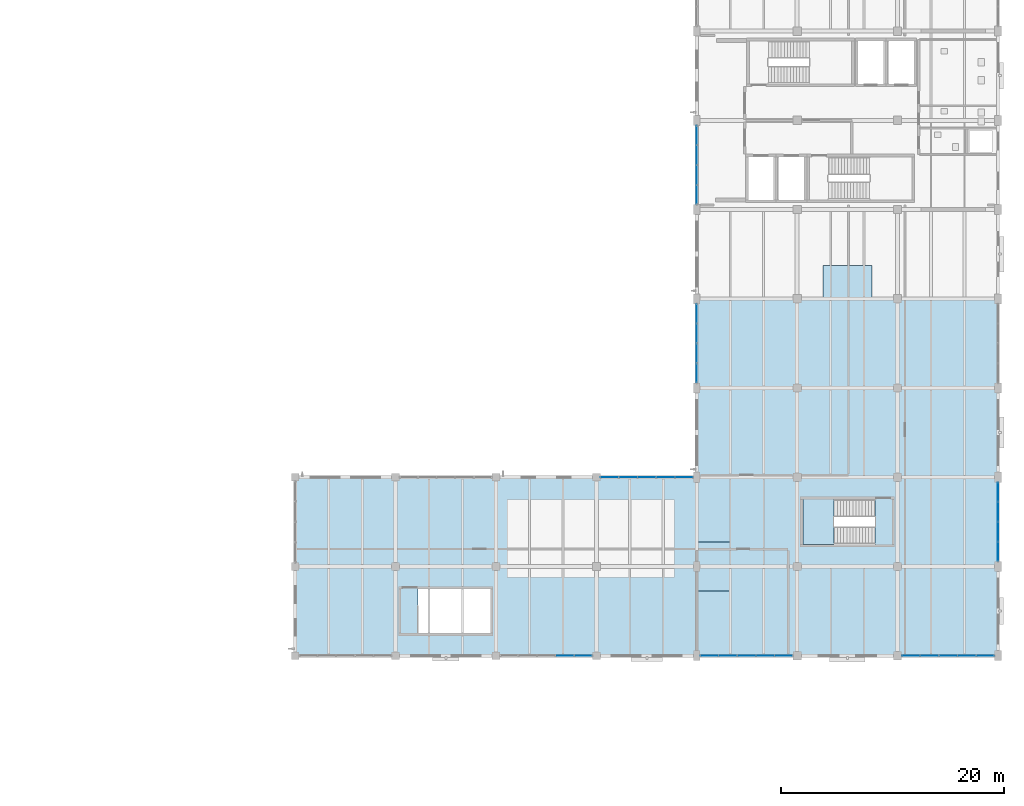
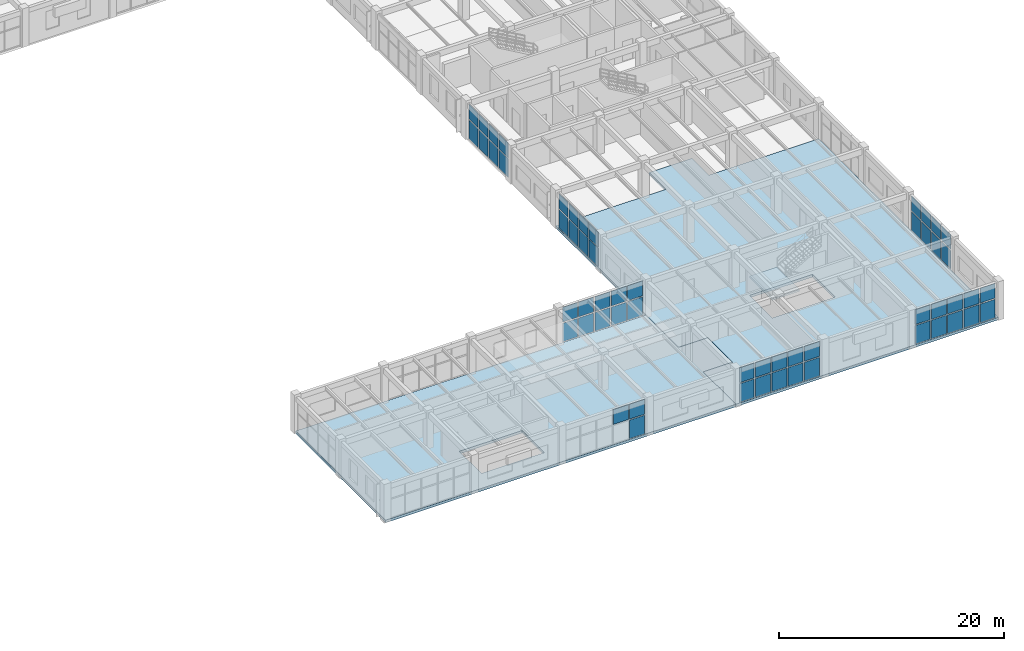
# One storey, part 105 of 128: 57 plates, 3 slabs, 8 elements without a shape of their own.
"""IFC4 building model written with IfcOpenShell, lengths in metres."""

from ifc_helpers import new_model, si_unit, derived_unit, direction, frame, origin, origin_2d, place, context, subcontext, project, spatial, polyline, rectangle, outline, extrude, material, layer, layer_set, type_object, element, aggregate, save


model = new_model("IFC4")

# Units and contexts
model_context = context("Model", 3, precision=1e-05, world=origin(), true_north=direction((0.0, 1.0)))
body_context = subcontext(model_context, "Body", "Model", "MODEL_VIEW")
ifc_project = project(units=[si_unit("LENGTHUNIT", "METRE"), si_unit("AREAUNIT", "SQUARE_METRE"), si_unit("VOLUMEUNIT", "CUBIC_METRE"), si_unit("PLANEANGLEUNIT", "RADIAN"), si_unit("MASSUNIT", "GRAM", prefix="KILO"), derived_unit("THERMALTRANSMITTANCEUNIT", [(si_unit("MASSUNIT", "GRAM", prefix="KILO"), 1), (si_unit("TIMEUNIT", "SECOND"), -3), (si_unit("THERMODYNAMICTEMPERATUREUNIT", "KELVIN"), -1)])], contexts=[model_context])

# Site, building, storey
site_placement = place(None, origin())
site = spatial("IfcSite", under=ifc_project, at=site_placement, CompositionType="ELEMENT")
building_placement = place(site_placement, origin())
building = spatial("IfcBuilding", under=site, at=building_placement, Name="Zhenchuan Archway Interchange", CompositionType="ELEMENT")
storey_placement = place(building_placement, frame((0.0, 0.0, 14.39990234375)))
storey = spatial("IfcBuildingStorey", under=building, at=storey_placement, Name="L03", CompositionType="ELEMENT", Elevation=14.39990234375)

# Curtain wall, plates
ifc_material_1 = material(Name="Anodised Aluminium", Category="aluminium")
curtain_wall_type_1 = type_object("IfcCurtainWallType", Name="CW_UNIT_4", PredefinedType="NOTDEFINED", material=ifc_material_1)
curtain_wall_1_placement = place(storey_placement, origin())
curtain_wall_1 = element("IfcCurtainWall", 1, at=curtain_wall_1_placement, inside=storey, type_object=curtain_wall_type_1, Name="Unitised curtain wall CW:L03:167", PredefinedType="NOTDEFINED")
ifc_material_2 = material(Name="Double Low-E Insulated Glazing", Category="glass")
ifc_layer_1 = layer(ifc_material_2, 0.028076171875)
ifc_layer_set_1 = layer_set([ifc_layer_1], Name="Double Low-E Insulated Glazing")
plate_type_1 = type_object("IfcPlateType", Name="CW_GLZ_1", PredefinedType="CURTAIN_PANEL", material=ifc_layer_set_1)
plate_1_placement = place(storey_placement, frame((136.16943359375, 24.0, 0.080078125), z_axis=(0.0, 0.0, 1.0), x_axis=(1.0, 0.0, 0.0)))
plate_1 = element("IfcPlate", 2, at=plate_1_placement, type_object=plate_type_1, Name="CW:L03:167 lower glazing panel 0", PredefinedType="CURTAIN_PANEL", context=body_context, shape_type="SweptSolid", body=[
    extrude(rectangle(XDim=1.522705078125, YDim=0.028076171875, at=origin_2d()), origin(), (0.0, 0.0, 1.0), 2.01611328125),
])
plate_2_placement = place(storey_placement, frame((137.84228515625, 24.0, 0.080078125), z_axis=(0.0, 0.0, 1.0), x_axis=(1.0, 0.0, 0.0)))
plate_2 = element("IfcPlate", 3, at=plate_2_placement, type_object=plate_type_1, Name="CW:L03:167 lower glazing panel 1", PredefinedType="CURTAIN_PANEL", context=body_context, shape_type="SweptSolid", body=[
    extrude(rectangle(XDim=1.542724609375, YDim=0.028076171875, at=origin_2d()), origin(), (0.0, 0.0, 1.0), 2.01611328125),
])
plate_3_placement = place(storey_placement, frame((139.52490234375, 24.0, 0.080078125), z_axis=(0.0, 0.0, 1.0), x_axis=(1.0, 0.0, 0.0)))
plate_3 = element("IfcPlate", 4, at=plate_3_placement, type_object=plate_type_1, Name="CW:L03:167 lower glazing panel 2", PredefinedType="CURTAIN_PANEL", context=body_context, shape_type="SweptSolid", body=[
    extrude(rectangle(XDim=1.542724609375, YDim=0.028076171875, at=origin_2d()), origin(), (0.0, 0.0, 1.0), 2.01611328125),
])
plate_4_placement = place(storey_placement, frame((141.207763671875, 24.0, 0.080078125), z_axis=(0.0, 0.0, 1.0), x_axis=(1.0, 0.0, 0.0)))
plate_4 = element("IfcPlate", 5, at=plate_4_placement, type_object=plate_type_1, Name="CW:L03:167 lower glazing panel 3", PredefinedType="CURTAIN_PANEL", context=body_context, shape_type="SweptSolid", body=[
    extrude(rectangle(XDim=1.542724609375, YDim=0.028076171875, at=origin_2d()), origin(), (0.0, 0.0, 1.0), 2.01611328125),
])
plate_5_placement = place(storey_placement, frame((142.880615234375, 24.0, 0.080078125), z_axis=(0.0, 0.0, 1.0), x_axis=(1.0, 0.0, 0.0)))
plate_5 = element("IfcPlate", 6, at=plate_5_placement, type_object=plate_type_1, Name="CW:L03:167 lower glazing panel 4", PredefinedType="CURTAIN_PANEL", context=body_context, shape_type="SweptSolid", body=[
    extrude(rectangle(XDim=1.522705078125, YDim=0.028076171875, at=origin_2d()), origin(), (0.0, 0.0, 1.0), 2.01611328125),
])

curtain_wall_2_placement = place(storey_placement, origin())
curtain_wall_2 = element("IfcCurtainWall", 7, at=curtain_wall_2_placement, inside=storey, type_object=curtain_wall_type_1, Name="Unitised curtain wall CW:L03:183", PredefinedType="NOTDEFINED")
plate_6_placement = place(storey_placement, frame((169.883056640625, 8.0, 0.080078125), z_axis=(0.0, 0.0, 1.0), x_axis=(-1.0, 0.0, 0.0)))
plate_6 = element("IfcPlate", 8, at=plate_6_placement, type_object=plate_type_1, Name="CW:L03:183 lower glazing panel 0", PredefinedType="CURTAIN_PANEL", context=body_context, shape_type="SweptSolid", body=[
    extrude(rectangle(XDim=1.517822265625, YDim=0.028076171875, at=origin_2d()), origin(), (0.0, 0.0, 1.0), 2.010498046875),
])
plate_7_placement = place(storey_placement, frame((168.21533203125, 8.0, 0.080078125), z_axis=(0.0, 0.0, 1.0), x_axis=(-1.0, 0.0, 0.0)))
plate_7 = element("IfcPlate", 9, at=plate_7_placement, type_object=plate_type_1, Name="CW:L03:183 lower glazing panel 1", PredefinedType="CURTAIN_PANEL", context=body_context, shape_type="SweptSolid", body=[
    extrude(rectangle(XDim=1.537841796875, YDim=0.028076171875, at=origin_2d()), origin(), (0.0, 0.0, 1.0), 2.010498046875),
])
plate_8_placement = place(storey_placement, frame((166.53759765625, 8.0, 0.080078125), z_axis=(0.0, 0.0, 1.0), x_axis=(-1.0, 0.0, 0.0)))
plate_8 = element("IfcPlate", 10, at=plate_8_placement, type_object=plate_type_1, Name="CW:L03:183 lower glazing panel 2", PredefinedType="CURTAIN_PANEL", context=body_context, shape_type="SweptSolid", body=[
    extrude(rectangle(XDim=1.537841796875, YDim=0.028076171875, at=origin_2d()), origin(), (0.0, 0.0, 1.0), 2.010498046875),
])
plate_9_placement = place(storey_placement, frame((164.859619140625, 8.0, 0.080078125), z_axis=(0.0, 0.0, 1.0), x_axis=(-1.0, 0.0, 0.0)))
plate_9 = element("IfcPlate", 11, at=plate_9_placement, type_object=plate_type_1, Name="CW:L03:183 lower glazing panel 3", PredefinedType="CURTAIN_PANEL", context=body_context, shape_type="SweptSolid", body=[
    extrude(rectangle(XDim=1.537841796875, YDim=0.028076171875, at=origin_2d()), origin(), (0.0, 0.0, 1.0), 2.010498046875),
])
plate_10_placement = place(storey_placement, frame((163.19189453125, 8.0, 0.080078125), z_axis=(0.0, 0.0, 1.0), x_axis=(-1.0, 0.0, 0.0)))
plate_10 = element("IfcPlate", 12, at=plate_10_placement, type_object=plate_type_1, Name="CW:L03:183 lower glazing panel 4", PredefinedType="CURTAIN_PANEL", context=body_context, shape_type="SweptSolid", body=[
    extrude(rectangle(XDim=1.517822265625, YDim=0.028076171875, at=origin_2d()), origin(), (0.0, 0.0, 1.0), 2.010498046875),
])

curtain_wall_type_2 = type_object("IfcCurtainWallType", Name="CW_UNIT_1", PredefinedType="NOTDEFINED", material=ifc_material_1)
curtain_wall_3_placement = place(storey_placement, origin())
curtain_wall_3 = element("IfcCurtainWall", 13, at=curtain_wall_3_placement, inside=storey, type_object=curtain_wall_type_2, Name="Unitised curtain wall CW:L03:184", PredefinedType="NOTDEFINED")
plate_11_placement = place(storey_placement, frame((151.80810546875, 8.0, 0.080078125), z_axis=(0.0, 0.0, 1.0), x_axis=(-1.0, 0.0, 0.0)))
plate_11 = element("IfcPlate", 14, at=plate_11_placement, type_object=plate_type_1, Name="CW:L03:184 lower glazing panel 0", PredefinedType="CURTAIN_PANEL", context=body_context, shape_type="SweptSolid", body=[
    extrude(rectangle(XDim=1.517822265625, YDim=0.028076171875, at=origin_2d()), origin(), (0.0, 0.0, 1.0), 2.010498046875),
])
plate_12_placement = place(storey_placement, frame((150.140380859375, 8.0, 0.080078125), z_axis=(0.0, 0.0, 1.0), x_axis=(-1.0, 0.0, 0.0)))
plate_12 = element("IfcPlate", 15, at=plate_12_placement, type_object=plate_type_1, Name="CW:L03:184 lower glazing panel 1", PredefinedType="CURTAIN_PANEL", context=body_context, shape_type="SweptSolid", body=[
    extrude(rectangle(XDim=1.537841796875, YDim=0.028076171875, at=origin_2d()), origin(), (0.0, 0.0, 1.0), 2.010498046875),
])
plate_13_placement = place(storey_placement, frame((148.46240234375, 8.0, 0.080078125), z_axis=(0.0, 0.0, 1.0), x_axis=(-1.0, 0.0, 0.0)))
plate_13 = element("IfcPlate", 16, at=plate_13_placement, type_object=plate_type_1, Name="CW:L03:184 lower glazing panel 2", PredefinedType="CURTAIN_PANEL", context=body_context, shape_type="SweptSolid", body=[
    extrude(rectangle(XDim=1.537841796875, YDim=0.028076171875, at=origin_2d()), origin(), (0.0, 0.0, 1.0), 2.010498046875),
])
plate_14_placement = place(storey_placement, frame((146.78466796875, 8.0, 0.080078125), z_axis=(0.0, 0.0, 1.0), x_axis=(-1.0, 0.0, 0.0)))
plate_14 = element("IfcPlate", 17, at=plate_14_placement, type_object=plate_type_1, Name="CW:L03:184 lower glazing panel 3", PredefinedType="CURTAIN_PANEL", context=body_context, shape_type="SweptSolid", body=[
    extrude(rectangle(XDim=1.537841796875, YDim=0.028076171875, at=origin_2d()), origin(), (0.0, 0.0, 1.0), 2.010498046875),
])
plate_15_placement = place(storey_placement, frame((145.116943359375, 8.0, 0.080078125), z_axis=(0.0, 0.0, 1.0), x_axis=(-1.0, 0.0, 0.0)))
plate_15 = element("IfcPlate", 18, at=plate_15_placement, type_object=plate_type_1, Name="CW:L03:184 lower glazing panel 4", PredefinedType="CURTAIN_PANEL", context=body_context, shape_type="SweptSolid", body=[
    extrude(rectangle(XDim=1.517822265625, YDim=0.028076171875, at=origin_2d()), origin(), (0.0, 0.0, 1.0), 2.010498046875),
])

# Curtain wall, plate
curtain_wall_type_3 = type_object("IfcCurtainWallType", Name="CW_UNIT_2", PredefinedType="NOTDEFINED", material=ifc_material_1)
curtain_wall_4_placement = place(storey_placement, origin())
curtain_wall_4 = element("IfcCurtainWall", 19, at=curtain_wall_4_placement, inside=storey, type_object=curtain_wall_type_3, Name="Unitised curtain wall CW:L03:185", PredefinedType="NOTDEFINED")
plate_16_placement = place(storey_placement, frame((133.835693359375, 8.0, 0.080078125), z_axis=(0.0, 0.0, 1.0), x_axis=(-1.0, 0.0, 0.0)))
plate_16 = element("IfcPlate", 20, at=plate_16_placement, type_object=plate_type_1, Name="CW:L03:185 lower glazing panel 0", PredefinedType="CURTAIN_PANEL", context=body_context, shape_type="SweptSolid", body=[
    extrude(rectangle(XDim=1.5126953125, YDim=0.028076171875, at=origin_2d()), origin(), (0.0, 0.0, 1.0), 2.01611328125),
])

# Plate
ifc_layer_2 = layer(ifc_material_2, 0.02587890625)
ifc_layer_set_2 = layer_set([ifc_layer_2], Name="Double Low-E Insulated Glazing")
plate_type_2 = type_object("IfcPlateType", Name="CW_GLZ_2", PredefinedType="CURTAIN_PANEL", material=ifc_layer_set_2)
plate_17_placement = place(storey_placement, frame((136.16943359375, 24.0, 2.216064453125), z_axis=(0.0, 0.0, 1.0), x_axis=(1.0, 0.0, 0.0)))
plate_17 = element("IfcPlate", 21, at=plate_17_placement, type_object=plate_type_2, Name="CW:L03:167 upper glazing panel 0", PredefinedType="CURTAIN_PANEL", context=body_context, shape_type="SweptSolid", body=[
    extrude(rectangle(XDim=1.522705078125, YDim=0.02587890625, at=origin_2d()), origin(), (0.0, 0.0, 1.0), 1.6240234375),
])

plate_18_placement = place(storey_placement, frame((137.84228515625, 24.0, 2.216064453125), z_axis=(0.0, 0.0, 1.0), x_axis=(1.0, 0.0, 0.0)))
plate_18 = element("IfcPlate", 22, at=plate_18_placement, type_object=plate_type_2, Name="CW:L03:167 upper glazing panel 1", PredefinedType="CURTAIN_PANEL", context=body_context, shape_type="SweptSolid", body=[
    extrude(rectangle(XDim=1.542724609375, YDim=0.02587890625, at=origin_2d()), origin(), (0.0, 0.0, 1.0), 1.6240234375),
])

plate_19_placement = place(storey_placement, frame((139.52490234375, 24.0, 2.216064453125), z_axis=(0.0, 0.0, 1.0), x_axis=(1.0, 0.0, 0.0)))
plate_19 = element("IfcPlate", 23, at=plate_19_placement, type_object=plate_type_2, Name="CW:L03:167 upper glazing panel 2", PredefinedType="CURTAIN_PANEL", context=body_context, shape_type="SweptSolid", body=[
    extrude(rectangle(XDim=1.542724609375, YDim=0.02587890625, at=origin_2d()), origin(), (0.0, 0.0, 1.0), 1.6240234375),
])

plate_20_placement = place(storey_placement, frame((141.207763671875, 24.0, 2.216064453125), z_axis=(0.0, 0.0, 1.0), x_axis=(1.0, 0.0, 0.0)))
plate_20 = element("IfcPlate", 24, at=plate_20_placement, type_object=plate_type_2, Name="CW:L03:167 upper glazing panel 3", PredefinedType="CURTAIN_PANEL", context=body_context, shape_type="SweptSolid", body=[
    extrude(rectangle(XDim=1.542724609375, YDim=0.02587890625, at=origin_2d()), origin(), (0.0, 0.0, 1.0), 1.6240234375),
])

plate_21_placement = place(storey_placement, frame((142.880615234375, 24.0, 2.216064453125), z_axis=(0.0, 0.0, 1.0), x_axis=(1.0, 0.0, 0.0)))
plate_21 = element("IfcPlate", 25, at=plate_21_placement, type_object=plate_type_2, Name="CW:L03:167 upper glazing panel 4", PredefinedType="CURTAIN_PANEL", context=body_context, shape_type="SweptSolid", body=[
    extrude(rectangle(XDim=1.522705078125, YDim=0.02587890625, at=origin_2d()), origin(), (0.0, 0.0, 1.0), 1.6240234375),
])

aggregate(curtain_wall_1, [plate_1, plate_17, plate_2, plate_18, plate_3, plate_19, plate_4, plate_20, plate_5, plate_21])

plate_22_placement = place(storey_placement, frame((169.883056640625, 8.0, 2.21044921875), z_axis=(0.0, 0.0, 1.0), x_axis=(-1.0, 0.0, 0.0)))
plate_22 = element("IfcPlate", 26, at=plate_22_placement, type_object=plate_type_2, Name="CW:L03:183 upper glazing panel 0", PredefinedType="CURTAIN_PANEL", context=body_context, shape_type="SweptSolid", body=[
    extrude(rectangle(XDim=1.517822265625, YDim=0.02587890625, at=origin_2d()), origin(), (0.0, 0.0, 1.0), 1.619384765625),
])

plate_23_placement = place(storey_placement, frame((168.21533203125, 8.0, 2.21044921875), z_axis=(0.0, 0.0, 1.0), x_axis=(-1.0, 0.0, 0.0)))
plate_23 = element("IfcPlate", 27, at=plate_23_placement, type_object=plate_type_2, Name="CW:L03:183 upper glazing panel 1", PredefinedType="CURTAIN_PANEL", context=body_context, shape_type="SweptSolid", body=[
    extrude(rectangle(XDim=1.537841796875, YDim=0.02587890625, at=origin_2d()), origin(), (0.0, 0.0, 1.0), 1.619384765625),
])

plate_24_placement = place(storey_placement, frame((166.53759765625, 8.0, 2.21044921875), z_axis=(0.0, 0.0, 1.0), x_axis=(-1.0, 0.0, 0.0)))
plate_24 = element("IfcPlate", 28, at=plate_24_placement, type_object=plate_type_2, Name="CW:L03:183 upper glazing panel 2", PredefinedType="CURTAIN_PANEL", context=body_context, shape_type="SweptSolid", body=[
    extrude(rectangle(XDim=1.537841796875, YDim=0.02587890625, at=origin_2d()), origin(), (0.0, 0.0, 1.0), 1.619384765625),
])

plate_25_placement = place(storey_placement, frame((164.859619140625, 8.0, 2.21044921875), z_axis=(0.0, 0.0, 1.0), x_axis=(-1.0, 0.0, 0.0)))
plate_25 = element("IfcPlate", 29, at=plate_25_placement, type_object=plate_type_2, Name="CW:L03:183 upper glazing panel 3", PredefinedType="CURTAIN_PANEL", context=body_context, shape_type="SweptSolid", body=[
    extrude(rectangle(XDim=1.537841796875, YDim=0.02587890625, at=origin_2d()), origin(), (0.0, 0.0, 1.0), 1.619384765625),
])

plate_26_placement = place(storey_placement, frame((163.19189453125, 8.0, 2.21044921875), z_axis=(0.0, 0.0, 1.0), x_axis=(-1.0, 0.0, 0.0)))
plate_26 = element("IfcPlate", 30, at=plate_26_placement, type_object=plate_type_2, Name="CW:L03:183 upper glazing panel 4", PredefinedType="CURTAIN_PANEL", context=body_context, shape_type="SweptSolid", body=[
    extrude(rectangle(XDim=1.517822265625, YDim=0.02587890625, at=origin_2d()), origin(), (0.0, 0.0, 1.0), 1.619384765625),
])

aggregate(curtain_wall_2, [plate_6, plate_22, plate_7, plate_23, plate_8, plate_24, plate_9, plate_25, plate_10, plate_26])

plate_27_placement = place(storey_placement, frame((151.80810546875, 8.0, 2.21044921875), z_axis=(0.0, 0.0, 1.0), x_axis=(-1.0, 0.0, 0.0)))
plate_27 = element("IfcPlate", 31, at=plate_27_placement, type_object=plate_type_2, Name="CW:L03:184 upper glazing panel 0", PredefinedType="CURTAIN_PANEL", context=body_context, shape_type="SweptSolid", body=[
    extrude(rectangle(XDim=1.517822265625, YDim=0.02587890625, at=origin_2d()), origin(), (0.0, 0.0, 1.0), 1.619384765625),
])

plate_28_placement = place(storey_placement, frame((150.140380859375, 8.0, 2.21044921875), z_axis=(0.0, 0.0, 1.0), x_axis=(-1.0, 0.0, 0.0)))
plate_28 = element("IfcPlate", 32, at=plate_28_placement, type_object=plate_type_2, Name="CW:L03:184 upper glazing panel 1", PredefinedType="CURTAIN_PANEL", context=body_context, shape_type="SweptSolid", body=[
    extrude(rectangle(XDim=1.537841796875, YDim=0.02587890625, at=origin_2d()), origin(), (0.0, 0.0, 1.0), 1.619384765625),
])

plate_29_placement = place(storey_placement, frame((148.46240234375, 8.0, 2.21044921875), z_axis=(0.0, 0.0, 1.0), x_axis=(-1.0, 0.0, 0.0)))
plate_29 = element("IfcPlate", 33, at=plate_29_placement, type_object=plate_type_2, Name="CW:L03:184 upper glazing panel 2", PredefinedType="CURTAIN_PANEL", context=body_context, shape_type="SweptSolid", body=[
    extrude(rectangle(XDim=1.537841796875, YDim=0.02587890625, at=origin_2d()), origin(), (0.0, 0.0, 1.0), 1.619384765625),
])

plate_30_placement = place(storey_placement, frame((146.78466796875, 8.0, 2.21044921875), z_axis=(0.0, 0.0, 1.0), x_axis=(-1.0, 0.0, 0.0)))
plate_30 = element("IfcPlate", 34, at=plate_30_placement, type_object=plate_type_2, Name="CW:L03:184 upper glazing panel 3", PredefinedType="CURTAIN_PANEL", context=body_context, shape_type="SweptSolid", body=[
    extrude(rectangle(XDim=1.537841796875, YDim=0.02587890625, at=origin_2d()), origin(), (0.0, 0.0, 1.0), 1.619384765625),
])

plate_31_placement = place(storey_placement, frame((145.116943359375, 8.0, 2.21044921875), z_axis=(0.0, 0.0, 1.0), x_axis=(-1.0, 0.0, 0.0)))
plate_31 = element("IfcPlate", 35, at=plate_31_placement, type_object=plate_type_2, Name="CW:L03:184 upper glazing panel 4", PredefinedType="CURTAIN_PANEL", context=body_context, shape_type="SweptSolid", body=[
    extrude(rectangle(XDim=1.517822265625, YDim=0.02587890625, at=origin_2d()), origin(), (0.0, 0.0, 1.0), 1.619384765625),
])

aggregate(curtain_wall_3, [plate_11, plate_27, plate_12, plate_28, plate_13, plate_29, plate_14, plate_30, plate_15, plate_31])

plate_32_placement = place(storey_placement, frame((133.835693359375, 8.0, 2.216064453125), z_axis=(0.0, 0.0, 1.0), x_axis=(-1.0, 0.0, 0.0)))
plate_32 = element("IfcPlate", 36, at=plate_32_placement, type_object=plate_type_2, Name="CW:L03:185 upper glazing panel 0", PredefinedType="CURTAIN_PANEL", context=body_context, shape_type="SweptSolid", body=[
    extrude(rectangle(XDim=1.5126953125, YDim=0.02587890625, at=origin_2d()), origin(), (0.0, 0.0, 1.0), 1.6240234375),
])

plate_33_placement = place(storey_placement, frame((132.1728515625, 8.0, 2.216064453125), z_axis=(0.0, 0.0, 1.0), x_axis=(-1.0, 0.0, 0.0)))
plate_33 = element("IfcPlate", 37, at=plate_33_placement, type_object=plate_type_2, Name="CW:L03:185 upper glazing panel 1", PredefinedType="CURTAIN_PANEL", context=body_context, shape_type="SweptSolid", body=[
    extrude(rectangle(XDim=1.53271484375, YDim=0.02587890625, at=origin_2d()), origin(), (0.0, 0.0, 1.0), 1.6240234375),
])

aggregate(curtain_wall_4, [plate_16, plate_32, plate_33])

# Curtain wall, plates
curtain_wall_5_placement = place(storey_placement, origin())
curtain_wall_5 = element("IfcCurtainWall", 38, at=curtain_wall_5_placement, inside=storey, type_object=curtain_wall_type_2, Name="Unitised curtain wall CW:L03:168", PredefinedType="NOTDEFINED")
ifc_layer_3 = layer(ifc_material_2, 0.030029296875)
ifc_layer_set_3 = layer_set([ifc_layer_3], Name="Double Low-E Insulated Glazing")
plate_type_3 = type_object("IfcPlateType", Name="CW_GLZ_3", PredefinedType="CURTAIN_PANEL", material=ifc_layer_set_3)
plate_34_placement = place(storey_placement, frame((144.0, 33.323486328125, 0.080078125), z_axis=(0.0, 0.0, 1.0), x_axis=(0.0, 1.0, 0.0)))
plate_34 = element("IfcPlate", 39, at=plate_34_placement, type_object=plate_type_3, Name="CW:L03:168 lower glazing panel 0", PredefinedType="CURTAIN_PANEL", context=body_context, shape_type="SweptSolid", body=[
    extrude(rectangle(XDim=1.631103515625, YDim=0.028076171875, at=origin_2d()), origin(), (0.0, 0.0, 1.0), 2.01611328125),
])
plate_35_placement = place(storey_placement, frame((144.0, 35.1044921875, 0.080078125), z_axis=(0.0, 0.0, 1.0), x_axis=(0.0, 1.0, 0.0)))
plate_35 = element("IfcPlate", 40, at=plate_35_placement, type_object=plate_type_3, Name="CW:L03:168 lower glazing panel 1", PredefinedType="CURTAIN_PANEL", context=body_context, shape_type="SweptSolid", body=[
    extrude(rectangle(XDim=1.65087890625, YDim=0.028076171875, at=origin_2d()), origin(), (0.0, 0.0, 1.0), 2.01611328125),
])
plate_36_placement = place(storey_placement, frame((144.0, 36.8955078125, 0.080078125), z_axis=(0.0, 0.0, 1.0), x_axis=(0.0, 1.0, 0.0)))
plate_36 = element("IfcPlate", 41, at=plate_36_placement, type_object=plate_type_3, Name="CW:L03:168 lower glazing panel 2", PredefinedType="CURTAIN_PANEL", context=body_context, shape_type="SweptSolid", body=[
    extrude(rectangle(XDim=1.65087890625, YDim=0.028076171875, at=origin_2d()), origin(), (0.0, 0.0, 1.0), 2.01611328125),
])
plate_37_placement = place(storey_placement, frame((144.0, 38.676513671875, 0.080078125), z_axis=(0.0, 0.0, 1.0), x_axis=(0.0, 1.0, 0.0)))
plate_37 = element("IfcPlate", 42, at=plate_37_placement, type_object=plate_type_3, Name="CW:L03:168 lower glazing panel 3", PredefinedType="CURTAIN_PANEL", context=body_context, shape_type="SweptSolid", body=[
    extrude(rectangle(XDim=1.631103515625, YDim=0.028076171875, at=origin_2d()), origin(), (0.0, 0.0, 1.0), 2.01611328125),
])

curtain_wall_6_placement = place(storey_placement, origin())
curtain_wall_6 = element("IfcCurtainWall", 43, at=curtain_wall_6_placement, inside=storey, type_object=curtain_wall_type_3, Name="Unitised curtain wall CW:L03:169", PredefinedType="NOTDEFINED")
plate_38_placement = place(storey_placement, frame((144.0, 49.323486328125, 0.080078125), z_axis=(0.0, 0.0, 1.0), x_axis=(0.0, 1.0, 0.0)))
plate_38 = element("IfcPlate", 44, at=plate_38_placement, type_object=plate_type_3, Name="CW:L03:169 lower glazing panel 0", PredefinedType="CURTAIN_PANEL", context=body_context, shape_type="SweptSolid", body=[
    extrude(rectangle(XDim=1.631103515625, YDim=0.028076171875, at=origin_2d()), origin(), (0.0, 0.0, 1.0), 2.01611328125),
])
plate_39_placement = place(storey_placement, frame((144.0, 51.1044921875, 0.080078125), z_axis=(0.0, 0.0, 1.0), x_axis=(0.0, 1.0, 0.0)))
plate_39 = element("IfcPlate", 45, at=plate_39_placement, type_object=plate_type_3, Name="CW:L03:169 lower glazing panel 1", PredefinedType="CURTAIN_PANEL", context=body_context, shape_type="SweptSolid", body=[
    extrude(rectangle(XDim=1.65087890625, YDim=0.028076171875, at=origin_2d()), origin(), (0.0, 0.0, 1.0), 2.01611328125),
])
plate_40_placement = place(storey_placement, frame((144.0, 52.8955078125, 0.080078125), z_axis=(0.0, 0.0, 1.0), x_axis=(0.0, 1.0, 0.0)))
plate_40 = element("IfcPlate", 46, at=plate_40_placement, type_object=plate_type_3, Name="CW:L03:169 lower glazing panel 2", PredefinedType="CURTAIN_PANEL", context=body_context, shape_type="SweptSolid", body=[
    extrude(rectangle(XDim=1.65087890625, YDim=0.028076171875, at=origin_2d()), origin(), (0.0, 0.0, 1.0), 2.01611328125),
])
plate_41_placement = place(storey_placement, frame((144.0, 54.676513671875, 0.080078125), z_axis=(0.0, 0.0, 1.0), x_axis=(0.0, 1.0, 0.0)))
plate_41 = element("IfcPlate", 47, at=plate_41_placement, type_object=plate_type_3, Name="CW:L03:169 lower glazing panel 3", PredefinedType="CURTAIN_PANEL", context=body_context, shape_type="SweptSolid", body=[
    extrude(rectangle(XDim=1.631103515625, YDim=0.028076171875, at=origin_2d()), origin(), (0.0, 0.0, 1.0), 2.01611328125),
])

curtain_wall_type_4 = type_object("IfcCurtainWallType", Name="CW_UNIT_3", PredefinedType="NOTDEFINED", material=ifc_material_1)
curtain_wall_7_placement = place(storey_placement, origin())
curtain_wall_7 = element("IfcCurtainWall", 48, at=curtain_wall_7_placement, inside=storey, type_object=curtain_wall_type_4, Name="Unitised curtain wall CW:L03:182", PredefinedType="NOTDEFINED")
plate_42_placement = place(storey_placement, frame((171.0, 22.676513671875, 0.080078125), z_axis=(0.0, 0.0, 1.0), x_axis=(0.0, -1.0, 0.0)))
plate_42 = element("IfcPlate", 49, at=plate_42_placement, type_object=plate_type_3, Name="CW:L03:182 lower glazing panel 0", PredefinedType="CURTAIN_PANEL", context=body_context, shape_type="SweptSolid", body=[
    extrude(rectangle(XDim=1.631103515625, YDim=0.028076171875, at=origin_2d()), origin(), (0.0, 0.0, 1.0), 2.010498046875),
])
plate_43_placement = place(storey_placement, frame((171.0, 20.8955078125, 0.080078125), z_axis=(0.0, 0.0, 1.0), x_axis=(0.0, -1.0, 0.0)))
plate_43 = element("IfcPlate", 50, at=plate_43_placement, type_object=plate_type_3, Name="CW:L03:182 lower glazing panel 1", PredefinedType="CURTAIN_PANEL", context=body_context, shape_type="SweptSolid", body=[
    extrude(rectangle(XDim=1.65087890625, YDim=0.028076171875, at=origin_2d()), origin(), (0.0, 0.0, 1.0), 2.010498046875),
])
plate_44_placement = place(storey_placement, frame((171.0, 19.1044921875, 0.080078125), z_axis=(0.0, 0.0, 1.0), x_axis=(0.0, -1.0, 0.0)))
plate_44 = element("IfcPlate", 51, at=plate_44_placement, type_object=plate_type_3, Name="CW:L03:182 lower glazing panel 2", PredefinedType="CURTAIN_PANEL", context=body_context, shape_type="SweptSolid", body=[
    extrude(rectangle(XDim=1.65087890625, YDim=0.028076171875, at=origin_2d()), origin(), (0.0, 0.0, 1.0), 2.010498046875),
])
plate_45_placement = place(storey_placement, frame((171.0, 17.323486328125, 0.080078125), z_axis=(0.0, 0.0, 1.0), x_axis=(0.0, -1.0, 0.0)))
plate_45 = element("IfcPlate", 52, at=plate_45_placement, type_object=plate_type_3, Name="CW:L03:182 lower glazing panel 3", PredefinedType="CURTAIN_PANEL", context=body_context, shape_type="SweptSolid", body=[
    extrude(rectangle(XDim=1.631103515625, YDim=0.028076171875, at=origin_2d()), origin(), (0.0, 0.0, 1.0), 2.010498046875),
])

# Plate
ifc_layer_4 = layer(ifc_material_2, 0.02392578125)
ifc_layer_set_4 = layer_set([ifc_layer_4], Name="Double Low-E Insulated Glazing")
plate_type_4 = type_object("IfcPlateType", Name="CW_GLZ_4", PredefinedType="CURTAIN_PANEL", material=ifc_layer_set_4)
plate_46_placement = place(storey_placement, frame((144.0, 33.323486328125, 2.216064453125), z_axis=(0.0, 0.0, 1.0), x_axis=(0.0, 1.0, 0.0)))
plate_46 = element("IfcPlate", 53, at=plate_46_placement, type_object=plate_type_4, Name="CW:L03:168 upper glazing panel 0", PredefinedType="CURTAIN_PANEL", context=body_context, shape_type="SweptSolid", body=[
    extrude(rectangle(XDim=1.631103515625, YDim=0.02587890625, at=origin_2d()), origin(), (0.0, 0.0, 1.0), 1.6240234375),
])

plate_47_placement = place(storey_placement, frame((144.0, 35.1044921875, 2.216064453125), z_axis=(0.0, 0.0, 1.0), x_axis=(0.0, 1.0, 0.0)))
plate_47 = element("IfcPlate", 54, at=plate_47_placement, type_object=plate_type_4, Name="CW:L03:168 upper glazing panel 1", PredefinedType="CURTAIN_PANEL", context=body_context, shape_type="SweptSolid", body=[
    extrude(rectangle(XDim=1.65087890625, YDim=0.02587890625, at=origin_2d()), origin(), (0.0, 0.0, 1.0), 1.6240234375),
])

plate_48_placement = place(storey_placement, frame((144.0, 36.8955078125, 2.216064453125), z_axis=(0.0, 0.0, 1.0), x_axis=(0.0, 1.0, 0.0)))
plate_48 = element("IfcPlate", 55, at=plate_48_placement, type_object=plate_type_4, Name="CW:L03:168 upper glazing panel 2", PredefinedType="CURTAIN_PANEL", context=body_context, shape_type="SweptSolid", body=[
    extrude(rectangle(XDim=1.65087890625, YDim=0.02587890625, at=origin_2d()), origin(), (0.0, 0.0, 1.0), 1.6240234375),
])

plate_49_placement = place(storey_placement, frame((144.0, 38.676513671875, 2.216064453125), z_axis=(0.0, 0.0, 1.0), x_axis=(0.0, 1.0, 0.0)))
plate_49 = element("IfcPlate", 56, at=plate_49_placement, type_object=plate_type_4, Name="CW:L03:168 upper glazing panel 3", PredefinedType="CURTAIN_PANEL", context=body_context, shape_type="SweptSolid", body=[
    extrude(rectangle(XDim=1.631103515625, YDim=0.02587890625, at=origin_2d()), origin(), (0.0, 0.0, 1.0), 1.6240234375),
])

aggregate(curtain_wall_5, [plate_34, plate_46, plate_35, plate_47, plate_36, plate_48, plate_37, plate_49])

plate_50_placement = place(storey_placement, frame((144.0, 49.323486328125, 2.216064453125), z_axis=(0.0, 0.0, 1.0), x_axis=(0.0, 1.0, 0.0)))
plate_50 = element("IfcPlate", 57, at=plate_50_placement, type_object=plate_type_4, Name="CW:L03:169 upper glazing panel 0", PredefinedType="CURTAIN_PANEL", context=body_context, shape_type="SweptSolid", body=[
    extrude(rectangle(XDim=1.631103515625, YDim=0.02587890625, at=origin_2d()), origin(), (0.0, 0.0, 1.0), 1.6240234375),
])

plate_51_placement = place(storey_placement, frame((144.0, 51.1044921875, 2.216064453125), z_axis=(0.0, 0.0, 1.0), x_axis=(0.0, 1.0, 0.0)))
plate_51 = element("IfcPlate", 58, at=plate_51_placement, type_object=plate_type_4, Name="CW:L03:169 upper glazing panel 1", PredefinedType="CURTAIN_PANEL", context=body_context, shape_type="SweptSolid", body=[
    extrude(rectangle(XDim=1.65087890625, YDim=0.02587890625, at=origin_2d()), origin(), (0.0, 0.0, 1.0), 1.6240234375),
])

plate_52_placement = place(storey_placement, frame((144.0, 52.8955078125, 2.216064453125), z_axis=(0.0, 0.0, 1.0), x_axis=(0.0, 1.0, 0.0)))
plate_52 = element("IfcPlate", 59, at=plate_52_placement, type_object=plate_type_4, Name="CW:L03:169 upper glazing panel 2", PredefinedType="CURTAIN_PANEL", context=body_context, shape_type="SweptSolid", body=[
    extrude(rectangle(XDim=1.65087890625, YDim=0.02587890625, at=origin_2d()), origin(), (0.0, 0.0, 1.0), 1.6240234375),
])

plate_53_placement = place(storey_placement, frame((144.0, 54.676513671875, 2.216064453125), z_axis=(0.0, 0.0, 1.0), x_axis=(0.0, 1.0, 0.0)))
plate_53 = element("IfcPlate", 60, at=plate_53_placement, type_object=plate_type_4, Name="CW:L03:169 upper glazing panel 3", PredefinedType="CURTAIN_PANEL", context=body_context, shape_type="SweptSolid", body=[
    extrude(rectangle(XDim=1.631103515625, YDim=0.02587890625, at=origin_2d()), origin(), (0.0, 0.0, 1.0), 1.6240234375),
])

aggregate(curtain_wall_6, [plate_38, plate_50, plate_39, plate_51, plate_40, plate_52, plate_41, plate_53])

plate_54_placement = place(storey_placement, frame((171.0, 22.676513671875, 2.21044921875), z_axis=(0.0, 0.0, 1.0), x_axis=(0.0, -1.0, 0.0)))
plate_54 = element("IfcPlate", 61, at=plate_54_placement, type_object=plate_type_4, Name="CW:L03:182 upper glazing panel 0", PredefinedType="CURTAIN_PANEL", context=body_context, shape_type="SweptSolid", body=[
    extrude(rectangle(XDim=1.631103515625, YDim=0.02587890625, at=origin_2d()), origin(), (0.0, 0.0, 1.0), 1.619384765625),
])

plate_55_placement = place(storey_placement, frame((171.0, 20.8955078125, 2.21044921875), z_axis=(0.0, 0.0, 1.0), x_axis=(0.0, -1.0, 0.0)))
plate_55 = element("IfcPlate", 62, at=plate_55_placement, type_object=plate_type_4, Name="CW:L03:182 upper glazing panel 1", PredefinedType="CURTAIN_PANEL", context=body_context, shape_type="SweptSolid", body=[
    extrude(rectangle(XDim=1.65087890625, YDim=0.02587890625, at=origin_2d()), origin(), (0.0, 0.0, 1.0), 1.619384765625),
])

plate_56_placement = place(storey_placement, frame((171.0, 19.1044921875, 2.21044921875), z_axis=(0.0, 0.0, 1.0), x_axis=(0.0, -1.0, 0.0)))
plate_56 = element("IfcPlate", 63, at=plate_56_placement, type_object=plate_type_4, Name="CW:L03:182 upper glazing panel 2", PredefinedType="CURTAIN_PANEL", context=body_context, shape_type="SweptSolid", body=[
    extrude(rectangle(XDim=1.65087890625, YDim=0.02587890625, at=origin_2d()), origin(), (0.0, 0.0, 1.0), 1.619384765625),
])

plate_57_placement = place(storey_placement, frame((171.0, 17.323486328125, 2.21044921875), z_axis=(0.0, 0.0, 1.0), x_axis=(0.0, -1.0, 0.0)))
plate_57 = element("IfcPlate", 64, at=plate_57_placement, type_object=plate_type_4, Name="CW:L03:182 upper glazing panel 3", PredefinedType="CURTAIN_PANEL", context=body_context, shape_type="SweptSolid", body=[
    extrude(rectangle(XDim=1.631103515625, YDim=0.02587890625, at=origin_2d()), origin(), (0.0, 0.0, 1.0), 1.619384765625),
])

aggregate(curtain_wall_7, [plate_42, plate_54, plate_43, plate_55, plate_44, plate_56, plate_45, plate_57])

# Slabs
ifc_material_3 = material(Name="Concrete C35", Category="concrete")
ifc_layer_5 = layer(ifc_material_3, 0.280029296875)
ifc_layer_set_5 = layer_set([ifc_layer_5], Name="Concrete C35")
slab_type_1 = type_object("IfcSlabType", Name="SLB_FLR_280", PredefinedType="FLOOR", material=ifc_layer_set_5)
slab_1_placement = place(storey_placement, frame((0.0, 0.0, -0.27978515625)))
element("IfcSlab", 65, at=slab_1_placement, inside=storey, type_object=slab_type_1, Name="Structural slab L03 OPS-S", PredefinedType="FLOOR", context=body_context, shape_type="SweptSolid", body=[
    extrude(outline(polyline([(108.0, 8.0), (108.0, 24.0), (144.0, 24.0), (144.0, 18.197998046875), (146.998046875, 18.197998046875), (146.998046875, 13.802001953125), (144.0, 13.802001953125), (144.0, 8.0), (108.0, 8.0)]), holes=[polyline([(125.4951171875, 10.02490234375), (125.4951171875, 13.97509765625), (119.02490234375, 13.97509765625), (119.02490234375, 10.02490234375), (125.4951171875, 10.02490234375)])]), origin(), (0.0, 0.0, 1.0), 0.27978515625),
])
slab_2_placement = place(storey_placement, frame((0.0, 0.0, -0.27978515625)))
element("IfcSlab", 66, at=slab_2_placement, inside=storey, type_object=slab_type_1, Name="Structural slab L03 OPS-ES", PredefinedType="FLOOR", context=body_context, shape_type="SweptSolid", body=[
    extrude(outline(polyline([(155.302001953125, 42.998046875), (159.697998046875, 42.998046875), (159.697998046875, 40.0), (171.0, 40.0), (171.0, 8.0), (144.0, 8.0), (144.0, 13.800048828125), (147.0, 13.800048828125), (147.0, 18.199951171875), (144.0, 18.199951171875), (144.0, 40.0), (155.302001953125, 40.0), (155.302001953125, 42.998046875)]), holes=[polyline([(159.97509765625, 17.97509765625), (159.97509765625, 22.02490234375), (153.5048828125, 22.02490234375), (153.5048828125, 17.97509765625), (159.97509765625, 17.97509765625)])]), origin(), (0.0, 0.0, 1.0), 0.27978515625),
])

# Stair, slab
stair_type = type_object("IfcStairType", Name="STR_HALF_1550", PredefinedType="HALF_TURN_STAIR", material=ifc_material_3)
stair_placement = place(storey_placement, origin())
stair = element("IfcStair", 67, at=stair_placement, inside=storey, type_object=stair_type, Name="Stair ST-O4 (L03)", PredefinedType="HALF_TURN_STAIR")
ifc_layer_6 = layer(ifc_material_3, 0.199951171875)
ifc_layer_set_6 = layer_set([ifc_layer_6], Name="Concrete C35")
slab_type_2 = type_object("IfcSlabType", Name="SLB_LANDING_200", PredefinedType="LANDING", material=ifc_layer_set_6)
slab_3_placement = place(storey_placement, frame((0.0, 0.0, 1.900146484375)))
slab_3 = element("IfcSlab", 68, at=slab_3_placement, type_object=slab_type_2, Name="Stair ST-O4 half-landing (L03)", PredefinedType="LANDING", context=body_context, shape_type="SweptSolid", body=[
    extrude(outline(polyline([(153.5029296875, 17.972900390625), (156.31494140625, 17.972900390625), (156.31494140625, 22.027099609375), (153.5029296875, 22.027099609375), (153.5029296875, 17.972900390625)])), origin(), (0.0, 0.0, 1.0), 0.199951171875),
])
aggregate(stair, [slab_3])

save(model, "model.ifc")
